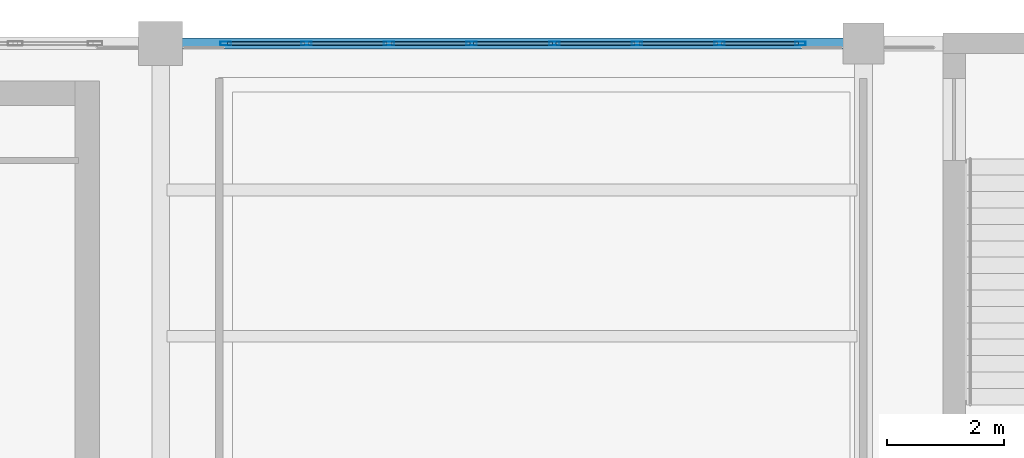
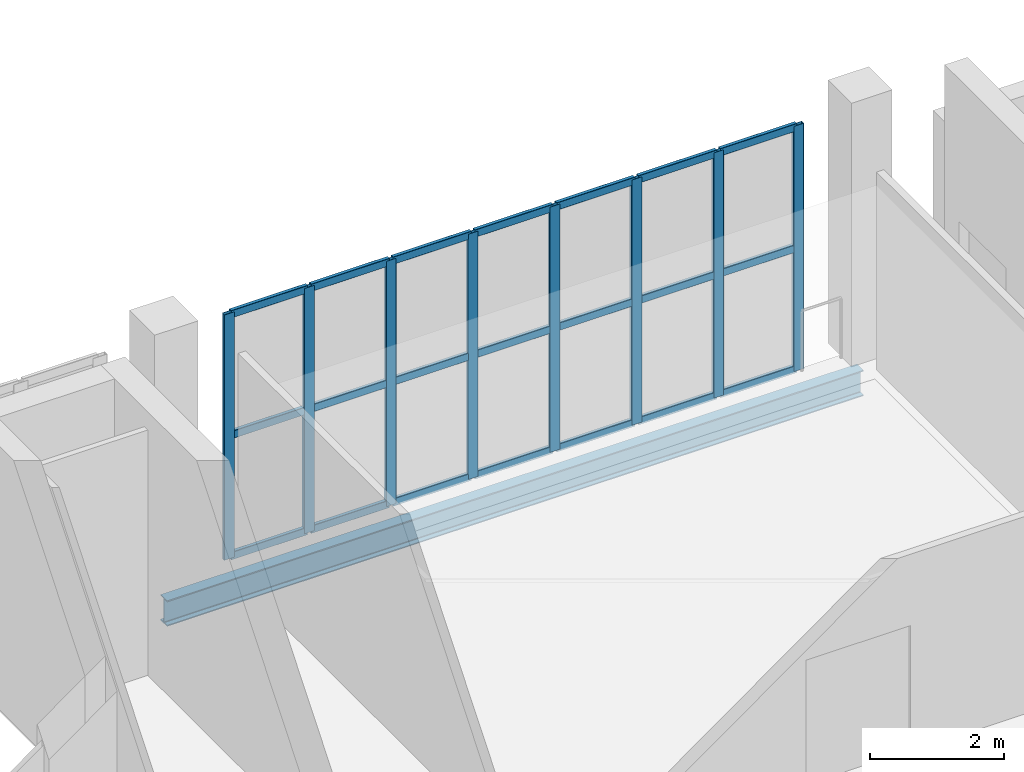
# One storey, part 54 of 136: 29 members, 1 beam, 1 element without a shape of its own.
"""IFC4 building model written with IfcOpenShell, lengths in metres."""

from ifc_helpers import new_model, si_unit, direction, frame, origin, origin_2d, place, context, subcontext, project, spatial, hollow_rectangle, i_section, extrude, material, layer, layer_set, material_profile, profile_set, type_object, element, aggregate, save


model = new_model("IFC4")

# Units and contexts
model_context = context("Model", 3, precision=1e-05, world=origin(), true_north=direction((0.0, 1.0)))
body_context = subcontext(model_context, "Body", "Model", "MODEL_VIEW")
ifc_project = project(units=[si_unit("LENGTHUNIT", "METRE"), si_unit("AREAUNIT", "SQUARE_METRE"), si_unit("VOLUMEUNIT", "CUBIC_METRE"), si_unit("PLANEANGLEUNIT", "RADIAN"), si_unit("MASSUNIT", "GRAM", prefix="KILO")], contexts=[model_context])

# Site, building, storey
site_placement = place(None, origin())
site = spatial("IfcSite", under=ifc_project, at=site_placement, CompositionType="ELEMENT")
building_placement = place(site_placement, origin())
building = spatial("IfcBuilding", under=site, at=building_placement, Name="Brinegate Civic Arena", CompositionType="ELEMENT")
storey_placement = place(building_placement, frame((0.0, 0.0, 5.39990234375)))
storey = spatial("IfcBuildingStorey", under=building, at=storey_placement, Name="L01", CompositionType="ELEMENT", Elevation=5.39990234375)

# Curtain wall, members
ifc_material_1 = material(Name="Marine grade aluminium", Category="aluminium")
ifc_layer = layer(ifc_material_1, 0.235107421875, Name="Marine grade aluminium")
ifc_layer_set = layer_set([ifc_layer], Name="Marine grade aluminium")
curtain_wall_type = type_object("IfcCurtainWallType", Name="CW-PORTAL-NORTH-01", PredefinedType="USERDEFINED", material=ifc_layer_set)
curtain_wall_placement = place(storey_placement, origin())
curtain_wall = element("IfcCurtainWall", 1, at=curtain_wall_placement, inside=storey, type_object=curtain_wall_type, Name="Curtain Wall CWA-066", ObjectType="PORTAL CURTAIN WALL", PredefinedType="USERDEFINED")
ifc_material_profile_1 = material_profile(ifc_material_1, hollow_rectangle(XDim=0.06494140625, YDim=0.179931640625, WallThickness=0.0048828125, InnerFilletRadius=0.00390625, OuterFilletRadius=0.008056640625, at=origin_2d()), Name="MUL65X180")
ifc_profile_set_1 = profile_set([ifc_material_profile_1], Name="Marine grade aluminium")
member_type_1 = type_object("IfcMemberType", Name="CW-MULLION-65X180", PredefinedType="MULLION", material=ifc_profile_set_1)
member_1_placement = place(storey_placement, frame((97.112548828125, 124.0, 0.0), z_axis=(0.0, 0.0, 1.0), x_axis=(0.0, 1.0, 0.0)))
member_1 = element("IfcMember", 2, at=member_1_placement, type_object=member_type_1, Name="CWA-066 mullion 1", PredefinedType="MULLION", context=body_context, shape_type="SweptSolid", body=[
    extrude(hollow_rectangle(XDim=0.06494140625, YDim=0.179931640625, WallThickness=0.0048828125, InnerFilletRadius=0.00390625, OuterFilletRadius=0.008056640625, at=origin_2d()), origin(), (0.0, 0.0, 1.0), 4.47021484375),
])
member_2_placement = place(storey_placement, frame((98.49072265625, 124.0, 0.0), z_axis=(0.0, 0.0, 1.0), x_axis=(0.0, 1.0, 0.0)))
member_2 = element("IfcMember", 3, at=member_2_placement, type_object=member_type_1, Name="CWA-066 mullion 2", PredefinedType="MULLION", context=body_context, shape_type="SweptSolid", body=[
    extrude(hollow_rectangle(XDim=0.06494140625, YDim=0.179931640625, WallThickness=0.0048828125, InnerFilletRadius=0.00390625, OuterFilletRadius=0.008056640625, at=origin_2d()), origin(), (0.0, 0.0, 1.0), 4.47021484375),
])
member_3_placement = place(storey_placement, frame((99.9013671875, 124.0, 0.0), z_axis=(0.0, 0.0, 1.0), x_axis=(0.0, 1.0, 0.0)))
member_3 = element("IfcMember", 4, at=member_3_placement, type_object=member_type_1, Name="CWA-066 mullion 3", PredefinedType="MULLION", context=body_context, shape_type="SweptSolid", body=[
    extrude(hollow_rectangle(XDim=0.06494140625, YDim=0.179931640625, WallThickness=0.0048828125, InnerFilletRadius=0.00390625, OuterFilletRadius=0.008056640625, at=origin_2d()), origin(), (0.0, 0.0, 1.0), 4.47021484375),
])
member_4_placement = place(storey_placement, frame((101.312255859375, 124.0, 0.0), z_axis=(0.0, 0.0, 1.0), x_axis=(0.0, 1.0, 0.0)))
member_4 = element("IfcMember", 5, at=member_4_placement, type_object=member_type_1, Name="CWA-066 mullion 4", PredefinedType="MULLION", context=body_context, shape_type="SweptSolid", body=[
    extrude(hollow_rectangle(XDim=0.06494140625, YDim=0.179931640625, WallThickness=0.0048828125, InnerFilletRadius=0.00390625, OuterFilletRadius=0.008056640625, at=origin_2d()), origin(), (0.0, 0.0, 1.0), 4.47021484375),
])
member_5_placement = place(storey_placement, frame((102.722900390625, 124.0, 0.0), z_axis=(0.0, 0.0, 1.0), x_axis=(0.0, 1.0, 0.0)))
member_5 = element("IfcMember", 6, at=member_5_placement, type_object=member_type_1, Name="CWA-066 mullion 5", PredefinedType="MULLION", context=body_context, shape_type="SweptSolid", body=[
    extrude(hollow_rectangle(XDim=0.06494140625, YDim=0.179931640625, WallThickness=0.0048828125, InnerFilletRadius=0.00390625, OuterFilletRadius=0.008056640625, at=origin_2d()), origin(), (0.0, 0.0, 1.0), 4.47021484375),
])
member_6_placement = place(storey_placement, frame((104.133544921875, 124.0, 0.0), z_axis=(0.0, 0.0, 1.0), x_axis=(0.0, 1.0, 0.0)))
member_6 = element("IfcMember", 7, at=member_6_placement, type_object=member_type_1, Name="CWA-066 mullion 6", PredefinedType="MULLION", context=body_context, shape_type="SweptSolid", body=[
    extrude(hollow_rectangle(XDim=0.06494140625, YDim=0.179931640625, WallThickness=0.0048828125, InnerFilletRadius=0.00390625, OuterFilletRadius=0.008056640625, at=origin_2d()), origin(), (0.0, 0.0, 1.0), 4.47021484375),
])
member_7_placement = place(storey_placement, frame((105.544189453125, 124.0, 0.0), z_axis=(0.0, 0.0, 1.0), x_axis=(0.0, 1.0, 0.0)))
member_7 = element("IfcMember", 8, at=member_7_placement, type_object=member_type_1, Name="CWA-066 mullion 7", PredefinedType="MULLION", context=body_context, shape_type="SweptSolid", body=[
    extrude(hollow_rectangle(XDim=0.06494140625, YDim=0.179931640625, WallThickness=0.0048828125, InnerFilletRadius=0.00390625, OuterFilletRadius=0.008056640625, at=origin_2d()), origin(), (0.0, 0.0, 1.0), 4.47021484375),
])
member_8_placement = place(storey_placement, frame((106.922607421875, 124.0, 0.0), z_axis=(0.0, 0.0, 1.0), x_axis=(0.0, 1.0, 0.0)))
member_8 = element("IfcMember", 9, at=member_8_placement, type_object=member_type_1, Name="CWA-066 mullion 8", PredefinedType="MULLION", context=body_context, shape_type="SweptSolid", body=[
    extrude(hollow_rectangle(XDim=0.06494140625, YDim=0.179931640625, WallThickness=0.0048828125, InnerFilletRadius=0.00390625, OuterFilletRadius=0.008056640625, at=origin_2d()), origin(), (0.0, 0.0, 1.0), 4.47021484375),
])
ifc_material_profile_2 = material_profile(ifc_material_1, hollow_rectangle(XDim=0.06494140625, YDim=0.139892578125, WallThickness=0.0048828125, InnerFilletRadius=0.00390625, OuterFilletRadius=0.008056640625, at=origin_2d()), Name="TRN65X140")
ifc_profile_set_2 = profile_set([ifc_material_profile_2], Name="Marine grade aluminium")
member_type_2 = type_object("IfcMemberType", Name="CW-TRANSOM-65X140", PredefinedType="USERDEFINED", material=ifc_profile_set_2)
member_9_placement = place(storey_placement, frame((97.14501953125, 124.0, 0.03271484375), z_axis=(1.0, 0.0, 0.0), x_axis=(0.0, 1.0, 0.0)))
member_9 = element("IfcMember", 10, at=member_9_placement, type_object=member_type_2, Name="CWA-066 transom 1.1", ObjectType="TRANSOM", PredefinedType="USERDEFINED", context=body_context, shape_type="SweptSolid", body=[
    extrude(hollow_rectangle(XDim=0.06494140625, YDim=0.139892578125, WallThickness=0.0048828125, InnerFilletRadius=0.00390625, OuterFilletRadius=0.008056640625, at=origin_2d()), origin(), (0.0, 0.0, 1.0), 1.313232421875),
])
member_10_placement = place(storey_placement, frame((97.14501953125, 124.0, 2.235107421875), z_axis=(1.0, 0.0, 0.0), x_axis=(0.0, 1.0, 0.0)))
member_10 = element("IfcMember", 11, at=member_10_placement, type_object=member_type_2, Name="CWA-066 transom 1.2", ObjectType="TRANSOM", PredefinedType="USERDEFINED", context=body_context, shape_type="SweptSolid", body=[
    extrude(hollow_rectangle(XDim=0.06494140625, YDim=0.139892578125, WallThickness=0.0048828125, InnerFilletRadius=0.00390625, OuterFilletRadius=0.008056640625, at=origin_2d()), origin(), (0.0, 0.0, 1.0), 1.313232421875),
])
member_11_placement = place(storey_placement, frame((97.14501953125, 124.0, 4.4375), z_axis=(1.0, 0.0, 0.0), x_axis=(0.0, 1.0, 0.0)))
member_11 = element("IfcMember", 12, at=member_11_placement, type_object=member_type_2, Name="CWA-066 transom 1.3", ObjectType="TRANSOM", PredefinedType="USERDEFINED", context=body_context, shape_type="SweptSolid", body=[
    extrude(hollow_rectangle(XDim=0.06494140625, YDim=0.139892578125, WallThickness=0.0048828125, InnerFilletRadius=0.00390625, OuterFilletRadius=0.008056640625, at=origin_2d()), origin(), (0.0, 0.0, 1.0), 1.313232421875),
])
member_12_placement = place(storey_placement, frame((98.523193359375, 124.0, 0.03271484375), z_axis=(1.0, 0.0, 0.0), x_axis=(0.0, 1.0, 0.0)))
member_12 = element("IfcMember", 13, at=member_12_placement, type_object=member_type_2, Name="CWA-066 transom 2.1", ObjectType="TRANSOM", PredefinedType="USERDEFINED", context=body_context, shape_type="SweptSolid", body=[
    extrude(hollow_rectangle(XDim=0.06494140625, YDim=0.139892578125, WallThickness=0.0048828125, InnerFilletRadius=0.00390625, OuterFilletRadius=0.008056640625, at=origin_2d()), origin(), (0.0, 0.0, 1.0), 1.345703125),
])
member_13_placement = place(storey_placement, frame((98.523193359375, 124.0, 2.235107421875), z_axis=(1.0, 0.0, 0.0), x_axis=(0.0, 1.0, 0.0)))
member_13 = element("IfcMember", 14, at=member_13_placement, type_object=member_type_2, Name="CWA-066 transom 2.2", ObjectType="TRANSOM", PredefinedType="USERDEFINED", context=body_context, shape_type="SweptSolid", body=[
    extrude(hollow_rectangle(XDim=0.06494140625, YDim=0.139892578125, WallThickness=0.0048828125, InnerFilletRadius=0.00390625, OuterFilletRadius=0.008056640625, at=origin_2d()), origin(), (0.0, 0.0, 1.0), 1.345703125),
])
member_14_placement = place(storey_placement, frame((98.523193359375, 124.0, 4.4375), z_axis=(1.0, 0.0, 0.0), x_axis=(0.0, 1.0, 0.0)))
member_14 = element("IfcMember", 15, at=member_14_placement, type_object=member_type_2, Name="CWA-066 transom 2.3", ObjectType="TRANSOM", PredefinedType="USERDEFINED", context=body_context, shape_type="SweptSolid", body=[
    extrude(hollow_rectangle(XDim=0.06494140625, YDim=0.139892578125, WallThickness=0.0048828125, InnerFilletRadius=0.00390625, OuterFilletRadius=0.008056640625, at=origin_2d()), origin(), (0.0, 0.0, 1.0), 1.345703125),
])
member_15_placement = place(storey_placement, frame((99.933837890625, 124.0, 0.03271484375), z_axis=(1.0, 0.0, 0.0), x_axis=(0.0, 1.0, 0.0)))
member_15 = element("IfcMember", 16, at=member_15_placement, type_object=member_type_2, Name="CWA-066 transom 3.1", ObjectType="TRANSOM", PredefinedType="USERDEFINED", context=body_context, shape_type="SweptSolid", body=[
    extrude(hollow_rectangle(XDim=0.06494140625, YDim=0.139892578125, WallThickness=0.0048828125, InnerFilletRadius=0.00390625, OuterFilletRadius=0.008056640625, at=origin_2d()), origin(), (0.0, 0.0, 1.0), 1.345703125),
])
member_16_placement = place(storey_placement, frame((99.933837890625, 124.0, 2.235107421875), z_axis=(1.0, 0.0, 0.0), x_axis=(0.0, 1.0, 0.0)))
member_16 = element("IfcMember", 17, at=member_16_placement, type_object=member_type_2, Name="CWA-066 transom 3.2", ObjectType="TRANSOM", PredefinedType="USERDEFINED", context=body_context, shape_type="SweptSolid", body=[
    extrude(hollow_rectangle(XDim=0.06494140625, YDim=0.139892578125, WallThickness=0.0048828125, InnerFilletRadius=0.00390625, OuterFilletRadius=0.008056640625, at=origin_2d()), origin(), (0.0, 0.0, 1.0), 1.345703125),
])
member_17_placement = place(storey_placement, frame((99.933837890625, 124.0, 4.4375), z_axis=(1.0, 0.0, 0.0), x_axis=(0.0, 1.0, 0.0)))
member_17 = element("IfcMember", 18, at=member_17_placement, type_object=member_type_2, Name="CWA-066 transom 3.3", ObjectType="TRANSOM", PredefinedType="USERDEFINED", context=body_context, shape_type="SweptSolid", body=[
    extrude(hollow_rectangle(XDim=0.06494140625, YDim=0.139892578125, WallThickness=0.0048828125, InnerFilletRadius=0.00390625, OuterFilletRadius=0.008056640625, at=origin_2d()), origin(), (0.0, 0.0, 1.0), 1.345703125),
])
member_18_placement = place(storey_placement, frame((101.3447265625, 124.0, 0.03271484375), z_axis=(1.0, 0.0, 0.0), x_axis=(0.0, 1.0, 0.0)))
member_18 = element("IfcMember", 19, at=member_18_placement, type_object=member_type_2, Name="CWA-066 transom 4.1", ObjectType="TRANSOM", PredefinedType="USERDEFINED", context=body_context, shape_type="SweptSolid", body=[
    extrude(hollow_rectangle(XDim=0.06494140625, YDim=0.139892578125, WallThickness=0.0048828125, InnerFilletRadius=0.00390625, OuterFilletRadius=0.008056640625, at=origin_2d()), origin(), (0.0, 0.0, 1.0), 1.345703125),
])
member_19_placement = place(storey_placement, frame((101.3447265625, 124.0, 2.235107421875), z_axis=(1.0, 0.0, 0.0), x_axis=(0.0, 1.0, 0.0)))
member_19 = element("IfcMember", 20, at=member_19_placement, type_object=member_type_2, Name="CWA-066 transom 4.2", ObjectType="TRANSOM", PredefinedType="USERDEFINED", context=body_context, shape_type="SweptSolid", body=[
    extrude(hollow_rectangle(XDim=0.06494140625, YDim=0.139892578125, WallThickness=0.0048828125, InnerFilletRadius=0.00390625, OuterFilletRadius=0.008056640625, at=origin_2d()), origin(), (0.0, 0.0, 1.0), 1.345703125),
])
member_20_placement = place(storey_placement, frame((101.3447265625, 124.0, 4.4375), z_axis=(1.0, 0.0, 0.0), x_axis=(0.0, 1.0, 0.0)))
member_20 = element("IfcMember", 21, at=member_20_placement, type_object=member_type_2, Name="CWA-066 transom 4.3", ObjectType="TRANSOM", PredefinedType="USERDEFINED", context=body_context, shape_type="SweptSolid", body=[
    extrude(hollow_rectangle(XDim=0.06494140625, YDim=0.139892578125, WallThickness=0.0048828125, InnerFilletRadius=0.00390625, OuterFilletRadius=0.008056640625, at=origin_2d()), origin(), (0.0, 0.0, 1.0), 1.345703125),
])
member_21_placement = place(storey_placement, frame((102.75537109375, 124.0, 0.03271484375), z_axis=(1.0, 0.0, 0.0), x_axis=(0.0, 1.0, 0.0)))
member_21 = element("IfcMember", 22, at=member_21_placement, type_object=member_type_2, Name="CWA-066 transom 5.1", ObjectType="TRANSOM", PredefinedType="USERDEFINED", context=body_context, shape_type="SweptSolid", body=[
    extrude(hollow_rectangle(XDim=0.06494140625, YDim=0.139892578125, WallThickness=0.0048828125, InnerFilletRadius=0.00390625, OuterFilletRadius=0.008056640625, at=origin_2d()), origin(), (0.0, 0.0, 1.0), 1.345703125),
])
member_22_placement = place(storey_placement, frame((102.75537109375, 124.0, 2.235107421875), z_axis=(1.0, 0.0, 0.0), x_axis=(0.0, 1.0, 0.0)))
member_22 = element("IfcMember", 23, at=member_22_placement, type_object=member_type_2, Name="CWA-066 transom 5.2", ObjectType="TRANSOM", PredefinedType="USERDEFINED", context=body_context, shape_type="SweptSolid", body=[
    extrude(hollow_rectangle(XDim=0.06494140625, YDim=0.139892578125, WallThickness=0.0048828125, InnerFilletRadius=0.00390625, OuterFilletRadius=0.008056640625, at=origin_2d()), origin(), (0.0, 0.0, 1.0), 1.345703125),
])
member_23_placement = place(storey_placement, frame((102.75537109375, 124.0, 4.4375), z_axis=(1.0, 0.0, 0.0), x_axis=(0.0, 1.0, 0.0)))
member_23 = element("IfcMember", 24, at=member_23_placement, type_object=member_type_2, Name="CWA-066 transom 5.3", ObjectType="TRANSOM", PredefinedType="USERDEFINED", context=body_context, shape_type="SweptSolid", body=[
    extrude(hollow_rectangle(XDim=0.06494140625, YDim=0.139892578125, WallThickness=0.0048828125, InnerFilletRadius=0.00390625, OuterFilletRadius=0.008056640625, at=origin_2d()), origin(), (0.0, 0.0, 1.0), 1.345703125),
])
member_24_placement = place(storey_placement, frame((104.166015625, 124.0, 0.03271484375), z_axis=(1.0, 0.0, 0.0), x_axis=(0.0, 1.0, 0.0)))
member_24 = element("IfcMember", 25, at=member_24_placement, type_object=member_type_2, Name="CWA-066 transom 6.1", ObjectType="TRANSOM", PredefinedType="USERDEFINED", context=body_context, shape_type="SweptSolid", body=[
    extrude(hollow_rectangle(XDim=0.06494140625, YDim=0.139892578125, WallThickness=0.0048828125, InnerFilletRadius=0.00390625, OuterFilletRadius=0.008056640625, at=origin_2d()), origin(), (0.0, 0.0, 1.0), 1.345703125),
])
member_25_placement = place(storey_placement, frame((104.166015625, 124.0, 2.235107421875), z_axis=(1.0, 0.0, 0.0), x_axis=(0.0, 1.0, 0.0)))
member_25 = element("IfcMember", 26, at=member_25_placement, type_object=member_type_2, Name="CWA-066 transom 6.2", ObjectType="TRANSOM", PredefinedType="USERDEFINED", context=body_context, shape_type="SweptSolid", body=[
    extrude(hollow_rectangle(XDim=0.06494140625, YDim=0.139892578125, WallThickness=0.0048828125, InnerFilletRadius=0.00390625, OuterFilletRadius=0.008056640625, at=origin_2d()), origin(), (0.0, 0.0, 1.0), 1.345703125),
])
member_26_placement = place(storey_placement, frame((104.166015625, 124.0, 4.4375), z_axis=(1.0, 0.0, 0.0), x_axis=(0.0, 1.0, 0.0)))
member_26 = element("IfcMember", 27, at=member_26_placement, type_object=member_type_2, Name="CWA-066 transom 6.3", ObjectType="TRANSOM", PredefinedType="USERDEFINED", context=body_context, shape_type="SweptSolid", body=[
    extrude(hollow_rectangle(XDim=0.06494140625, YDim=0.139892578125, WallThickness=0.0048828125, InnerFilletRadius=0.00390625, OuterFilletRadius=0.008056640625, at=origin_2d()), origin(), (0.0, 0.0, 1.0), 1.345703125),
])
member_27_placement = place(storey_placement, frame((105.576904296875, 124.0, 0.03271484375), z_axis=(1.0, 0.0, 0.0), x_axis=(0.0, 1.0, 0.0)))
member_27 = element("IfcMember", 28, at=member_27_placement, type_object=member_type_2, Name="CWA-066 transom 7.1", ObjectType="TRANSOM", PredefinedType="USERDEFINED", context=body_context, shape_type="SweptSolid", body=[
    extrude(hollow_rectangle(XDim=0.06494140625, YDim=0.139892578125, WallThickness=0.0048828125, InnerFilletRadius=0.00390625, OuterFilletRadius=0.008056640625, at=origin_2d()), origin(), (0.0, 0.0, 1.0), 1.31298828125),
])
member_28_placement = place(storey_placement, frame((105.576904296875, 124.0, 2.235107421875), z_axis=(1.0, 0.0, 0.0), x_axis=(0.0, 1.0, 0.0)))
member_28 = element("IfcMember", 29, at=member_28_placement, type_object=member_type_2, Name="CWA-066 transom 7.2", ObjectType="TRANSOM", PredefinedType="USERDEFINED", context=body_context, shape_type="SweptSolid", body=[
    extrude(hollow_rectangle(XDim=0.06494140625, YDim=0.139892578125, WallThickness=0.0048828125, InnerFilletRadius=0.00390625, OuterFilletRadius=0.008056640625, at=origin_2d()), origin(), (0.0, 0.0, 1.0), 1.31298828125),
])
member_29_placement = place(storey_placement, frame((105.576904296875, 124.0, 4.4375), z_axis=(1.0, 0.0, 0.0), x_axis=(0.0, 1.0, 0.0)))
member_29 = element("IfcMember", 30, at=member_29_placement, type_object=member_type_2, Name="CWA-066 transom 7.3", ObjectType="TRANSOM", PredefinedType="USERDEFINED", context=body_context, shape_type="SweptSolid", body=[
    extrude(hollow_rectangle(XDim=0.06494140625, YDim=0.139892578125, WallThickness=0.0048828125, InnerFilletRadius=0.00390625, OuterFilletRadius=0.008056640625, at=origin_2d()), origin(), (0.0, 0.0, 1.0), 1.31298828125),
])
aggregate(curtain_wall, [member_1, member_2, member_3, member_4, member_5, member_6, member_7, member_8, member_9, member_10, member_11, member_12, member_13, member_14, member_15, member_16, member_17, member_18, member_19, member_20, member_21, member_22, member_23, member_24, member_25, member_26, member_27, member_28, member_29])

# Beam
ifc_material_2 = material(Name="Steel S355", Category="steel")
ifc_material_profile_3 = material_profile(ifc_material_2, i_section(OverallWidth=0.193115234375, OverallDepth=0.466064453125, WebThickness=0.010986328125, FlangeThickness=0.01904296875, FilletRadius=0.014892578125, at=origin_2d()), Name="W460X97")
ifc_profile_set_3 = profile_set([ifc_material_profile_3], Name="Steel S355")
beam_type = type_object("IfcBeamType", Name="SPANDREL-W460X97", PredefinedType="SPANDREL", material=ifc_profile_set_3)
beam_placement = place(storey_placement, frame((96.0, 124.0, -0.572998046875), z_axis=(1.0, 0.0, 0.0), x_axis=(0.0, 1.0, 0.0)))
element("IfcBeam", 31, at=beam_placement, inside=storey, type_object=beam_type, Name="Floor Girder BM-L01-GX-08-12", PredefinedType="SPANDREL", context=body_context, shape_type="SweptSolid", body=[
    extrude(i_section(OverallWidth=0.193115234375, OverallDepth=0.466064453125, WebThickness=0.010986328125, FlangeThickness=0.01904296875, FilletRadius=0.014892578125, at=origin_2d()), origin(), (0.0, 0.0, 1.0), 12.0),
])

save(model, "model.ifc")
